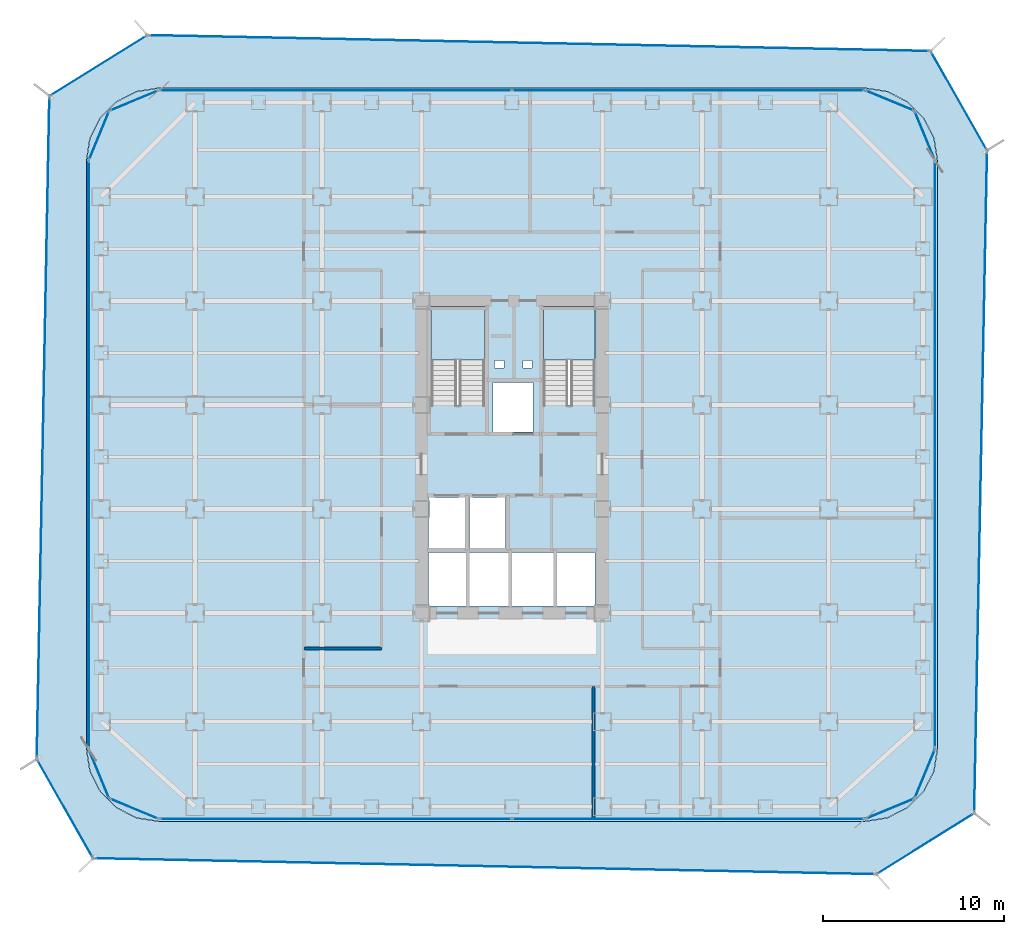
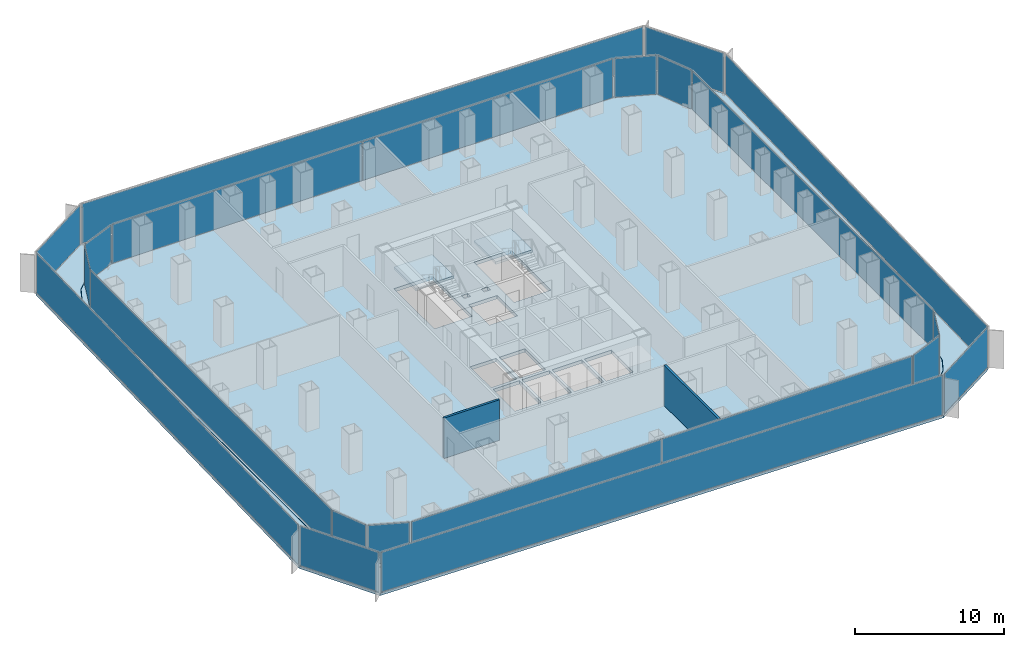
# One storey, part 16 of 21: 22 plates, 4 slabs, 2 walls, 22 elements without a shape of their own.
"""IFC4 building model written with IfcOpenShell, lengths in metres."""

from ifc_helpers import new_model, si_unit, direction, frame, frame_2d, origin, origin_2d, place, context, subcontext, project, spatial, polyline, rectangle, outline, extrude, source, transform, mapped, material, layer, layer_set, type_object, element, aggregate, save


model = new_model("IFC4")

# Units and contexts
model_context = context("Model", 3, precision=1e-05, world=origin(), true_north=direction((0.0, 1.0)))
body_context = subcontext(model_context, "Body", "Model", "MODEL_VIEW")
ifc_project = project(units=[si_unit("LENGTHUNIT", "METRE"), si_unit("AREAUNIT", "SQUARE_METRE"), si_unit("VOLUMEUNIT", "CUBIC_METRE"), si_unit("PLANEANGLEUNIT", "RADIAN"), si_unit("MASSUNIT", "GRAM", prefix="KILO")], contexts=[model_context])

# Site, building, storey
site_placement = place(None, origin())
site = spatial("IfcSite", under=ifc_project, at=site_placement, CompositionType="ELEMENT")
building_placement = place(site_placement, origin())
building = spatial("IfcBuilding", under=site, at=building_placement, Name="Kolveth Station Tower", CompositionType="ELEMENT")
storey_placement = place(building_placement, frame((0.0, 0.0, 62.10009765625)))
storey = spatial("IfcBuildingStorey", under=building, at=storey_placement, Name="L16", CompositionType="ELEMENT", Elevation=62.10009765625)

# Slab
ifc_material_1 = material(Name="Concrete C45/55", Category="concrete")
ifc_layer_1 = layer(ifc_material_1, 0.280029296875)
ifc_layer_set_1 = layer_set([ifc_layer_1], Name="Concrete C45/55")
slab_type_1 = type_object("IfcSlabType", Name="Slab_SF-280", PredefinedType="FLOOR", material=ifc_layer_set_1)
slab_1_placement = place(storey_placement, frame((0.0, 0.0, -0.280029296875)))
element("IfcSlab", 1, at=slab_1_placement, inside=storey, type_object=slab_type_1, Name="L16 Tower Structural Floor Slab", PredefinedType="FLOOR", context=body_context, shape_type="SweptSolid", body=[
    extrude(outline(polyline([(43.0, 0.0), (44.236083984375, 0.19580078125), (45.35107421875, 0.763916015625), (46.236083984375, 1.64892578125), (46.80419921875, 2.763916015625), (47.0, 4.0), (47.0, 36.5), (46.80419921875, 37.736083984375), (46.236083984375, 38.85107421875), (45.35107421875, 39.736083984375), (44.236083984375, 40.30419921875), (43.0, 40.5), (4.0, 40.5), (2.763916015625, 40.30419921875), (1.64892578125, 39.736083984375), (0.763916015625, 38.85107421875), (0.19580078125, 37.736083984375), (0.0, 36.5), (0.0, 4.0), (0.19580078125, 2.763916015625), (0.763916015625, 1.64892578125), (1.64892578125, 0.763916015625), (2.763916015625, 0.19580078125), (4.0, 0.0), (43.0, 0.0)]), holes=[polyline([(19.0400390625, 22.985107421875), (22.0, 22.985107421875), (22.0, 28.39990234375), (19.0400390625, 28.39990234375), (19.0400390625, 22.985107421875)]), polyline([(25.239990234375, 22.985107421875), (28.10009765625, 22.985107421875), (28.10009765625, 28.39990234375), (25.239990234375, 28.39990234375), (25.239990234375, 22.985107421875)]), polyline([(18.89990234375, 15.10009765625), (20.89990234375, 15.10009765625), (20.89990234375, 17.89990234375), (18.89990234375, 17.89990234375), (18.89990234375, 15.10009765625)]), polyline([(21.14990234375, 15.10009765625), (23.14990234375, 15.10009765625), (23.14990234375, 17.89990234375), (21.14990234375, 17.89990234375), (21.14990234375, 15.10009765625)]), polyline([(22.449951171875, 21.5), (24.64990234375, 21.5), (24.64990234375, 24.25), (22.449951171875, 24.25), (22.449951171875, 21.5)]), polyline([(18.89990234375, 11.89990234375), (20.949951171875, 11.89990234375), (20.949951171875, 14.85009765625), (18.89990234375, 14.85009765625), (18.89990234375, 11.89990234375)]), polyline([(21.14990234375, 11.89990234375), (23.300048828125, 11.89990234375), (23.300048828125, 14.85009765625), (21.14990234375, 14.85009765625), (21.14990234375, 11.89990234375)]), polyline([(23.5, 11.89990234375), (25.800048828125, 11.89990234375), (25.800048828125, 14.85009765625), (23.5, 14.85009765625), (23.5, 11.89990234375)]), polyline([(26.0, 11.89990234375), (28.10009765625, 11.89990234375), (28.10009765625, 14.85009765625), (26.0, 14.85009765625), (26.0, 11.89990234375)]), polyline([(22.550048828125, 25.050048828125), (23.050048828125, 25.050048828125), (23.050048828125, 25.449951171875), (22.550048828125, 25.449951171875), (22.550048828125, 25.050048828125)]), polyline([(24.10009765625, 25.050048828125), (24.60009765625, 25.050048828125), (24.60009765625, 25.449951171875), (24.10009765625, 25.449951171875), (24.10009765625, 25.050048828125)])]), origin(), (0.0, 0.0, 1.0), 0.280029296875),
])

# Stair, slab
ifc_material_2 = material(Name="Concrete C40/50", Category="concrete")
stair_type_1 = type_object("IfcStairType", Name="Stair_ST2", PredefinedType="HALF_TURN_STAIR", material=ifc_material_2)
stair_1_placement = place(storey_placement, origin())
stair_1 = element("IfcStair", 2, at=stair_1_placement, inside=storey, type_object=stair_type_1, Name="L16 Tower Exit Stair ST2", PredefinedType="HALF_TURN_STAIR")
ifc_layer_2 = layer(ifc_material_2, 0.18994140625)
ifc_layer_set_2 = layer_set([ifc_layer_2], Name="Concrete C40/50")
slab_type_2 = type_object("IfcSlabType", Name="Slab_SL-190", PredefinedType="LANDING", material=ifc_layer_set_2)
slab_2_placement = place(storey_placement, frame((0.0, 0.0, 1.599853515625)))
slab_2 = element("IfcSlab", 3, at=slab_2_placement, type_object=slab_type_2, Name="ST2 landing 1", PredefinedType="LANDING", context=body_context, shape_type="SweptSolid", body=[
    extrude(outline(polyline([(28.10009765625, 25.469970703125), (28.10009765625, 28.39990234375), (25.239990234375, 28.39990234375), (25.239990234375, 25.469970703125), (28.10009765625, 25.469970703125)])), origin(), (0.0, 0.0, 1.0), 0.199951171875),
])
aggregate(stair_1, [slab_2])

stair_type_2 = type_object("IfcStairType", Name="Stair_ST1", PredefinedType="HALF_TURN_STAIR", material=ifc_material_2)
stair_2_placement = place(storey_placement, origin())
stair_2 = element("IfcStair", 4, at=stair_2_placement, inside=storey, type_object=stair_type_2, Name="L16 Tower Exit Stair ST1", PredefinedType="HALF_TURN_STAIR")
ifc_layer_3 = layer(ifc_material_2, 0.205078125)
ifc_layer_set_3 = layer_set([ifc_layer_3], Name="Concrete C40/50")
slab_type_3 = type_object("IfcSlabType", Name="Slab_SL-205", PredefinedType="LANDING", material=ifc_layer_set_3)
slab_3_placement = place(storey_placement, frame((0.0, 0.0, 1.599853515625)))
slab_3 = element("IfcSlab", 5, at=slab_3_placement, type_object=slab_type_3, Name="ST1 landing 1", PredefinedType="LANDING", context=body_context, shape_type="SweptSolid", body=[
    extrude(outline(polyline([(22.0, 25.469970703125), (22.0, 28.39990234375), (19.0400390625, 28.39990234375), (19.0400390625, 25.469970703125), (22.0, 25.469970703125)])), origin(), (0.0, 0.0, 1.0), 0.199951171875),
])
aggregate(stair_2, [slab_3])

# Slab
ifc_layer_4 = layer(ifc_material_2, 0.2099609375)
ifc_layer_set_4 = layer_set([ifc_layer_4], Name="Concrete C40/50")
slab_type_4 = type_object("IfcSlabType", Name="Slab_ST-210", PredefinedType="FLOOR", material=ifc_layer_set_4)
slab_4_placement = place(storey_placement, frame((0.0, 0.0, -0.210205078125)))
element("IfcSlab", 6, at=slab_4_placement, inside=storey, type_object=slab_type_4, Name="L16 Double-Skin Cavity Structural Ledger Ring", PredefinedType="FLOOR", context=body_context, shape_type="SweptSolid", body=[
    extrude(outline(polyline([(0.365966796875, -2.04541015625), (-2.74609375, 3.44580078125), (-2.04638671875, 40.061279296875), (3.36474609375, 43.424072265625), (46.634033203125, 42.54541015625), (49.7529296875, 37.05517578125), (49.041015625, 0.441650390625), (43.635498046875, -2.92626953125), (0.365966796875, -2.04541015625)]), holes=[polyline([(43.002197265625, -0.014892578125), (44.23828125, 0.180908203125), (44.242919921875, 0.182373046875), (45.35791015625, 0.75048828125), (45.36181640625, 0.75341796875), (46.24658203125, 1.63818359375), (46.24951171875, 1.64208984375), (46.817626953125, 2.757080078125), (46.819091796875, 2.76171875), (47.014892578125, 3.997802734375), (47.014892578125, 4.0), (47.014892578125, 36.5), (47.014892578125, 36.502197265625), (46.819091796875, 37.73828125), (46.817626953125, 37.742919921875), (46.24951171875, 38.85791015625), (46.24658203125, 38.86181640625), (45.36181640625, 39.74658203125), (45.35791015625, 39.74951171875), (44.242919921875, 40.317626953125), (44.23828125, 40.319091796875), (43.002197265625, 40.514892578125), (43.0, 40.514892578125), (4.0, 40.514892578125), (3.997802734375, 40.514892578125), (2.76171875, 40.319091796875), (2.757080078125, 40.317626953125), (1.64208984375, 39.74951171875), (1.63818359375, 39.74658203125), (0.75341796875, 38.86181640625), (0.75048828125, 38.85791015625), (0.182373046875, 37.742919921875), (0.180908203125, 37.73828125), (-0.014892578125, 36.502197265625), (-0.014892578125, 36.5), (-0.014892578125, 4.0), (-0.014892578125, 3.997802734375), (0.180908203125, 2.76171875), (0.182373046875, 2.757080078125), (0.75048828125, 1.64208984375), (0.75341796875, 1.63818359375), (1.63818359375, 0.75341796875), (1.64208984375, 0.75048828125), (2.757080078125, 0.182373046875), (2.76171875, 0.180908203125), (3.997802734375, -0.014892578125), (4.0, -0.014892578125), (43.0, -0.014892578125), (43.002197265625, -0.014892578125)])]), origin(), (0.0, 0.0, 1.0), 0.210205078125),
])

# Curtain wall, plate
ifc_material_3 = material(Name="Aluminium 6063-T6 and low-E dark glass", Category="aluminium")
ifc_layer_5 = layer(ifc_material_3, 0.179931640625)
ifc_layer_set_5 = layer_set([ifc_layer_5], Name="Aluminium 6063-T6 and low-E dark glass")
curtain_wall_type_1 = type_object("IfcCurtainWallType", Name="CurtainWall_CW-Z1", PredefinedType="NOTDEFINED", material=ifc_layer_set_5)
curtain_wall_1_placement = place(storey_placement, origin())
curtain_wall_1 = element("IfcCurtainWall", 7, at=curtain_wall_1_placement, inside=storey, type_object=curtain_wall_type_1, Name="L16 Inner Thermal Curtain Wall 1", PredefinedType="NOTDEFINED")
ifc_material_4 = material(Name="Architectural low-E dark glass", Category="glass")
ifc_layer_6 = layer(ifc_material_4, 0.035888671875)
ifc_layer_set_6 = layer_set([ifc_layer_6], Name="Architectural low-E dark glass")
plate_type_1 = type_object("IfcPlateType", Name="Panel_GL1", PredefinedType="CURTAIN_PANEL", material=ifc_layer_set_6)
shared_shape_1 = source(origin(), body_context, "Body", "SweptSolid", [
    extrude(rectangle(XDim=2.83349609375, YDim=0.035888671875, at=origin_2d()), origin(), (0.0, 0.0, 1.0), 3.18408203125),
])
plate_1_placement = place(storey_placement, frame((44.371826171875, 0.688232421875, 0.06787109375), z_axis=(0.0, 0.0, 1.0), x_axis=(0.923883857728, 0.382672990201, 0.0)))
plate_1 = element("IfcPlate", 8, at=plate_1_placement, type_object=plate_type_1, Name="CW-Z1 panel 1.1", PredefinedType="CURTAIN_PANEL", context=body_context, shape_type="MappedRepresentation", body=[
    mapped(shared_shape_1, transform((0.0, 0.0, 0.0), x_axis=(1.0, 0.0, 0.0), y_axis=(0.0, 1.0, 0.0), z_axis=(0.0, 0.0, 1.0), scale=1.0)),
])
aggregate(curtain_wall_1, [plate_1])

curtain_wall_2_placement = place(storey_placement, origin())
curtain_wall_2 = element("IfcCurtainWall", 9, at=curtain_wall_2_placement, inside=storey, type_object=curtain_wall_type_1, Name="L16 Inner Thermal Curtain Wall 2", PredefinedType="NOTDEFINED")
plate_2_placement = place(storey_placement, frame((46.311767578125, 2.628173828125, 0.06787109375), z_axis=(0.0, 0.0, 1.0), x_axis=(0.382672990201, 0.923883857728, 0.0)))
plate_2 = element("IfcPlate", 10, at=plate_2_placement, type_object=plate_type_1, Name="CW-Z1 panel 1.1", PredefinedType="CURTAIN_PANEL", context=body_context, shape_type="MappedRepresentation", body=[
    mapped(shared_shape_1, transform((0.0, 0.0, 0.0), x_axis=(1.0, 0.0, 0.0), y_axis=(0.0, 1.0, 0.0), z_axis=(0.0, 0.0, 1.0), scale=1.0)),
])
aggregate(curtain_wall_2, [plate_2])

curtain_wall_3_placement = place(storey_placement, origin())
curtain_wall_3 = element("IfcCurtainWall", 11, at=curtain_wall_3_placement, inside=storey, type_object=curtain_wall_type_1, Name="L16 Inner Thermal Curtain Wall 4", PredefinedType="NOTDEFINED")
plate_3_placement = place(storey_placement, frame((46.311767578125, 37.871826171875, 0.06787109375), z_axis=(0.0, 0.0, 1.0), x_axis=(-0.382672990201, 0.923883857728, 0.0)))
plate_3 = element("IfcPlate", 12, at=plate_3_placement, type_object=plate_type_1, Name="CW-Z1 panel 1.1", PredefinedType="CURTAIN_PANEL", context=body_context, shape_type="MappedRepresentation", body=[
    mapped(shared_shape_1, transform((0.0, 0.0, 0.0), x_axis=(1.0, 0.0, 0.0), y_axis=(0.0, 1.0, 0.0), z_axis=(0.0, 0.0, 1.0), scale=1.0)),
])
aggregate(curtain_wall_3, [plate_3])

curtain_wall_4_placement = place(storey_placement, origin())
curtain_wall_4 = element("IfcCurtainWall", 13, at=curtain_wall_4_placement, inside=storey, type_object=curtain_wall_type_1, Name="L16 Inner Thermal Curtain Wall 5", PredefinedType="NOTDEFINED")
plate_4_placement = place(storey_placement, frame((44.371826171875, 39.811767578125, 0.06787109375), z_axis=(0.0, 0.0, 1.0), x_axis=(-0.923883857728, 0.382672990201, 0.0)))
plate_4 = element("IfcPlate", 14, at=plate_4_placement, type_object=plate_type_1, Name="CW-Z1 panel 1.1", PredefinedType="CURTAIN_PANEL", context=body_context, shape_type="MappedRepresentation", body=[
    mapped(shared_shape_1, transform((0.0, 0.0, 0.0), x_axis=(1.0, 0.0, 0.0), y_axis=(0.0, 1.0, 0.0), z_axis=(0.0, 0.0, 1.0), scale=1.0)),
])
aggregate(curtain_wall_4, [plate_4])

curtain_wall_5_placement = place(storey_placement, origin())
curtain_wall_5 = element("IfcCurtainWall", 15, at=curtain_wall_5_placement, inside=storey, type_object=curtain_wall_type_1, Name="L16 Inner Thermal Curtain Wall 7", PredefinedType="NOTDEFINED")
plate_5_placement = place(storey_placement, frame((2.628173828125, 39.811767578125, 0.06787109375), z_axis=(0.0, 0.0, 1.0), x_axis=(-0.923883857728, -0.382672990201, 0.0)))
plate_5 = element("IfcPlate", 16, at=plate_5_placement, type_object=plate_type_1, Name="CW-Z1 panel 1.1", PredefinedType="CURTAIN_PANEL", context=body_context, shape_type="MappedRepresentation", body=[
    mapped(shared_shape_1, transform((0.0, 0.0, 0.0), x_axis=(1.0, 0.0, 0.0), y_axis=(0.0, 1.0, 0.0), z_axis=(0.0, 0.0, 1.0), scale=1.0)),
])
aggregate(curtain_wall_5, [plate_5])

curtain_wall_6_placement = place(storey_placement, origin())
curtain_wall_6 = element("IfcCurtainWall", 17, at=curtain_wall_6_placement, inside=storey, type_object=curtain_wall_type_1, Name="L16 Inner Thermal Curtain Wall 8", PredefinedType="NOTDEFINED")
plate_6_placement = place(storey_placement, frame((0.688232421875, 37.871826171875, 0.06787109375), z_axis=(0.0, 0.0, 1.0), x_axis=(-0.382672990201, -0.923883857728, 0.0)))
plate_6 = element("IfcPlate", 18, at=plate_6_placement, type_object=plate_type_1, Name="CW-Z1 panel 1.1", PredefinedType="CURTAIN_PANEL", context=body_context, shape_type="MappedRepresentation", body=[
    mapped(shared_shape_1, transform((0.0, 0.0, 0.0), x_axis=(1.0, 0.0, 0.0), y_axis=(0.0, 1.0, 0.0), z_axis=(0.0, 0.0, 1.0), scale=1.0)),
])
aggregate(curtain_wall_6, [plate_6])

curtain_wall_7_placement = place(storey_placement, origin())
curtain_wall_7 = element("IfcCurtainWall", 19, at=curtain_wall_7_placement, inside=storey, type_object=curtain_wall_type_1, Name="L16 Inner Thermal Curtain Wall 10", PredefinedType="NOTDEFINED")
plate_7_placement = place(storey_placement, frame((0.688232421875, 2.628173828125, 0.06787109375), z_axis=(0.0, 0.0, 1.0), x_axis=(0.382672990201, -0.923883857728, 0.0)))
plate_7 = element("IfcPlate", 20, at=plate_7_placement, type_object=plate_type_1, Name="CW-Z1 panel 1.1", PredefinedType="CURTAIN_PANEL", context=body_context, shape_type="MappedRepresentation", body=[
    mapped(shared_shape_1, transform((0.0, 0.0, 0.0), x_axis=(1.0, 0.0, 0.0), y_axis=(0.0, 1.0, 0.0), z_axis=(0.0, 0.0, 1.0), scale=1.0)),
])
aggregate(curtain_wall_7, [plate_7])

curtain_wall_8_placement = place(storey_placement, origin())
curtain_wall_8 = element("IfcCurtainWall", 21, at=curtain_wall_8_placement, inside=storey, type_object=curtain_wall_type_1, Name="L16 Inner Thermal Curtain Wall 11", PredefinedType="NOTDEFINED")
plate_8_placement = place(storey_placement, frame((2.628173828125, 0.688232421875, 0.06787109375), z_axis=(0.0, 0.0, 1.0), x_axis=(0.923883857728, -0.382672990201, 0.0)))
plate_8 = element("IfcPlate", 22, at=plate_8_placement, type_object=plate_type_1, Name="CW-Z1 panel 1.1", PredefinedType="CURTAIN_PANEL", context=body_context, shape_type="MappedRepresentation", body=[
    mapped(shared_shape_1, transform((0.0, 0.0, 0.0), x_axis=(1.0, 0.0, 0.0), y_axis=(0.0, 1.0, 0.0), z_axis=(0.0, 0.0, 1.0), scale=1.0)),
])
aggregate(curtain_wall_8, [plate_8])

curtain_wall_9_placement = place(storey_placement, origin())
curtain_wall_9 = element("IfcCurtainWall", 23, at=curtain_wall_9_placement, inside=storey, type_object=curtain_wall_type_1, Name="L16 Inner Thermal Curtain Wall 3", PredefinedType="NOTDEFINED")
shared_shape_2 = source(origin(), body_context, "Body", "SweptSolid", [
    extrude(rectangle(XDim=32.364013671875, YDim=0.035888671875, at=origin_2d()), origin(), (0.0, 0.0, 1.0), 3.18408203125),
])
plate_9_placement = place(storey_placement, frame((46.8798828125, 20.25, 0.06787109375), z_axis=(0.0, 0.0, 1.0), x_axis=(0.0, 1.0, 0.0)))
plate_9 = element("IfcPlate", 24, at=plate_9_placement, type_object=plate_type_1, Name="CW-Z1 panel 1.1", PredefinedType="CURTAIN_PANEL", context=body_context, shape_type="MappedRepresentation", body=[
    mapped(shared_shape_2, transform((0.0, 0.0, 0.0), x_axis=(1.0, 0.0, 0.0), y_axis=(0.0, 1.0, 0.0), z_axis=(0.0, 0.0, 1.0), scale=1.0)),
])
aggregate(curtain_wall_9, [plate_9])

curtain_wall_10_placement = place(storey_placement, origin())
curtain_wall_10 = element("IfcCurtainWall", 25, at=curtain_wall_10_placement, inside=storey, type_object=curtain_wall_type_1, Name="L16 Inner Thermal Curtain Wall 9", PredefinedType="NOTDEFINED")
plate_10_placement = place(storey_placement, frame((0.1201171875, 20.25, 0.06787109375), z_axis=(0.0, 0.0, 1.0), x_axis=(0.0, -1.0, 0.0)))
plate_10 = element("IfcPlate", 26, at=plate_10_placement, type_object=plate_type_1, Name="CW-Z1 panel 1.1", PredefinedType="CURTAIN_PANEL", context=body_context, shape_type="MappedRepresentation", body=[
    mapped(shared_shape_2, transform((0.0, 0.0, 0.0), x_axis=(1.0, 0.0, 0.0), y_axis=(0.0, 1.0, 0.0), z_axis=(0.0, 0.0, 1.0), scale=1.0)),
])
aggregate(curtain_wall_10, [plate_10])

# Curtain wall, plates
curtain_wall_11_placement = place(storey_placement, origin())
curtain_wall_11 = element("IfcCurtainWall", 27, at=curtain_wall_11_placement, inside=storey, type_object=curtain_wall_type_1, Name="L16 Inner Thermal Curtain Wall 6", PredefinedType="NOTDEFINED")
shared_shape_3 = source(origin(), body_context, "Body", "SweptSolid", [
    extrude(rectangle(XDim=19.401611328125, YDim=0.035888671875, at=origin_2d()), origin(), (0.0, 0.0, 1.0), 3.18408203125),
])
plate_11_placement = place(storey_placement, frame((33.231201171875, 40.3798828125, 0.06787109375), z_axis=(0.0, 0.0, 1.0), x_axis=(-1.0, 0.0, 0.0)))
plate_11 = element("IfcPlate", 28, at=plate_11_placement, type_object=plate_type_1, Name="CW-Z1 panel 1.1", PredefinedType="CURTAIN_PANEL", context=body_context, shape_type="MappedRepresentation", body=[
    mapped(shared_shape_3, transform((0.0, 0.0, 0.0), x_axis=(1.0, 0.0, 0.0), y_axis=(0.0, 1.0, 0.0), z_axis=(0.0, 0.0, 1.0), scale=1.0)),
])
plate_12_placement = place(storey_placement, frame((13.768798828125, 40.3798828125, 0.06787109375), z_axis=(0.0, 0.0, 1.0), x_axis=(-1.0, 0.0, 0.0)))
plate_12 = element("IfcPlate", 29, at=plate_12_placement, type_object=plate_type_1, Name="CW-Z1 panel 2.1", PredefinedType="CURTAIN_PANEL", context=body_context, shape_type="MappedRepresentation", body=[
    mapped(shared_shape_3, transform((0.0, 0.0, 0.0), x_axis=(1.0, 0.0, 0.0), y_axis=(0.0, 1.0, 0.0), z_axis=(0.0, 0.0, 1.0), scale=1.0)),
])
aggregate(curtain_wall_11, [plate_11, plate_12])

curtain_wall_12_placement = place(storey_placement, origin())
curtain_wall_12 = element("IfcCurtainWall", 30, at=curtain_wall_12_placement, inside=storey, type_object=curtain_wall_type_1, Name="L16 Inner Thermal Curtain Wall 12", PredefinedType="NOTDEFINED")
plate_13_placement = place(storey_placement, frame((13.768798828125, 0.1201171875, 0.06787109375), z_axis=(0.0, 0.0, 1.0), x_axis=(1.0, 0.0, 0.0)))
plate_13 = element("IfcPlate", 31, at=plate_13_placement, type_object=plate_type_1, Name="CW-Z1 panel 1.1", PredefinedType="CURTAIN_PANEL", context=body_context, shape_type="MappedRepresentation", body=[
    mapped(shared_shape_3, transform((0.0, 0.0, 0.0), x_axis=(1.0, 0.0, 0.0), y_axis=(0.0, 1.0, 0.0), z_axis=(0.0, 0.0, 1.0), scale=1.0)),
])
plate_14_placement = place(storey_placement, frame((33.231201171875, 0.1201171875, 0.06787109375), z_axis=(0.0, 0.0, 1.0), x_axis=(1.0, 0.0, 0.0)))
plate_14 = element("IfcPlate", 32, at=plate_14_placement, type_object=plate_type_1, Name="CW-Z1 panel 2.1", PredefinedType="CURTAIN_PANEL", context=body_context, shape_type="MappedRepresentation", body=[
    mapped(shared_shape_3, transform((0.0, 0.0, 0.0), x_axis=(1.0, 0.0, 0.0), y_axis=(0.0, 1.0, 0.0), z_axis=(0.0, 0.0, 1.0), scale=1.0)),
])
aggregate(curtain_wall_12, [plate_13, plate_14])

# Curtain wall, plate
ifc_material_5 = material(Name="Black anodized aluminium 6063-T6 and dark solar glass", Category="aluminium")
ifc_layer_7 = layer(ifc_material_5, 0.159912109375)
ifc_layer_set_7 = layer_set([ifc_layer_7], Name="Black anodized aluminium 6063-T6 and dark solar glass")
curtain_wall_type_2 = type_object("IfcCurtainWallType", Name="OUTER SKIN CW-OS", PredefinedType="NOTDEFINED", material=ifc_layer_set_7)
curtain_wall_13_placement = place(storey_placement, origin())
curtain_wall_13 = element("IfcCurtainWall", 33, at=curtain_wall_13_placement, inside=storey, type_object=curtain_wall_type_2, Name="L16 Outer Ventilated Skin Curtain Wall 1", PredefinedType="NOTDEFINED")
ifc_layer_8 = layer(ifc_material_4, 0.028076171875)
ifc_layer_set_8 = layer_set([ifc_layer_8], Name="Architectural low-E dark glass")
plate_type_2 = type_object("IfcPlateType", Name="Panel_GL-OS", PredefinedType="CURTAIN_PANEL", material=ifc_layer_set_8)
shared_shape_4 = source(origin(), body_context, "Body", "SweptSolid", [
    extrude(rectangle(XDim=6.202880859375, YDim=0.028076171875, at=origin_2d()), origin(), (0.0, 0.0, 1.0), 3.243896484375),
])
plate_15_placement = place(storey_placement, frame((46.33837890625, -1.242431640625, 0.07275390625), z_axis=(0.0, 0.0, 1.0), x_axis=(0.848741082262, 0.528808637677, 0.0)))
plate_15 = element("IfcPlate", 34, at=plate_15_placement, type_object=plate_type_2, Name="CW-OS panel 1.1", PredefinedType="CURTAIN_PANEL", context=body_context, shape_type="MappedRepresentation", body=[
    mapped(shared_shape_4, transform((0.0, 0.0, 0.0), x_axis=(1.0, 0.0, 0.0), y_axis=(0.0, 1.0, 0.0), z_axis=(0.0, 0.0, 1.0), scale=1.0)),
])
aggregate(curtain_wall_13, [plate_15])

curtain_wall_14_placement = place(storey_placement, origin())
curtain_wall_14 = element("IfcCurtainWall", 35, at=curtain_wall_14_placement, inside=storey, type_object=curtain_wall_type_2, Name="L16 Outer Ventilated Skin Curtain Wall 2", PredefinedType="NOTDEFINED")
shared_shape_5 = source(origin(), body_context, "Body", "SweptSolid", [
    extrude(rectangle(XDim=36.454345703125, YDim=0.028076171875, at=origin_2d()), origin(), (0.0, 0.0, 1.0), 3.243896484375),
])
plate_16_placement = place(storey_placement, frame((49.39697265625, 18.748291015625, 0.07275390625), z_axis=(0.0, 0.0, 1.0), x_axis=(0.01943724381, 0.999811078931, 0.0)))
plate_16 = element("IfcPlate", 36, at=plate_16_placement, type_object=plate_type_2, Name="CW-OS panel 1.1", PredefinedType="CURTAIN_PANEL", context=body_context, shape_type="MappedRepresentation", body=[
    mapped(shared_shape_5, transform((0.0, 0.0, 0.0), x_axis=(1.0, 0.0, 0.0), y_axis=(0.0, 1.0, 0.0), z_axis=(0.0, 0.0, 1.0), scale=1.0)),
])
aggregate(curtain_wall_14, [plate_16])

curtain_wall_15_placement = place(storey_placement, origin())
curtain_wall_15 = element("IfcCurtainWall", 37, at=curtain_wall_15_placement, inside=storey, type_object=curtain_wall_type_2, Name="L16 Outer Ventilated Skin Curtain Wall 3", PredefinedType="NOTDEFINED")
shared_shape_6 = source(origin(), body_context, "Body", "SweptSolid", [
    extrude(rectangle(XDim=6.148193359375, YDim=0.028076171875, at=origin_2d()), origin(), (0.0, 0.0, 1.0), 3.243896484375),
])
plate_17_placement = place(storey_placement, frame((48.193359375, 39.80029296875, 0.07275390625), z_axis=(0.0, 0.0, 1.0), x_axis=(-0.493938934301, 0.869496595267, 0.0)))
plate_17 = element("IfcPlate", 38, at=plate_17_placement, type_object=plate_type_2, Name="CW-OS panel 1.1", PredefinedType="CURTAIN_PANEL", context=body_context, shape_type="MappedRepresentation", body=[
    mapped(shared_shape_6, transform((0.0, 0.0, 0.0), x_axis=(1.0, 0.0, 0.0), y_axis=(0.0, 1.0, 0.0), z_axis=(0.0, 0.0, 1.0), scale=1.0)),
])
aggregate(curtain_wall_15, [plate_17])

curtain_wall_16_placement = place(storey_placement, origin())
curtain_wall_16 = element("IfcCurtainWall", 39, at=curtain_wall_16_placement, inside=storey, type_object=curtain_wall_type_2, Name="L16 Outer Ventilated Skin Curtain Wall 4", PredefinedType="NOTDEFINED")
shared_shape_7 = source(origin(), body_context, "Body", "SweptSolid", [
    extrude(rectangle(XDim=43.1123046875, YDim=0.028076171875, at=origin_2d()), origin(), (0.0, 0.0, 1.0), 3.243896484375),
])
plate_18_placement = place(storey_placement, frame((24.999267578125, 42.984619140625, 0.07275390625), z_axis=(0.0, 0.0, 1.0), x_axis=(-0.999793909302, 0.020301204973, 0.0)))
plate_18 = element("IfcPlate", 40, at=plate_18_placement, type_object=plate_type_2, Name="CW-OS panel 1.1", PredefinedType="CURTAIN_PANEL", context=body_context, shape_type="MappedRepresentation", body=[
    mapped(shared_shape_7, transform((0.0, 0.0, 0.0), x_axis=(1.0, 0.0, 0.0), y_axis=(0.0, 1.0, 0.0), z_axis=(0.0, 0.0, 1.0), scale=1.0)),
])
aggregate(curtain_wall_16, [plate_18])

curtain_wall_17_placement = place(storey_placement, origin())
curtain_wall_17 = element("IfcCurtainWall", 41, at=curtain_wall_17_placement, inside=storey, type_object=curtain_wall_type_2, Name="L16 Outer Ventilated Skin Curtain Wall 5", PredefinedType="NOTDEFINED")
shared_shape_8 = source(origin(), body_context, "Body", "SweptSolid", [
    extrude(rectangle(XDim=6.204833984375, YDim=0.028076171875, at=origin_2d()), origin(), (0.0, 0.0, 1.0), 3.243896484375),
])
plate_19_placement = place(storey_placement, frame((0.6591796875, 41.74267578125, 0.07275390625), z_axis=(0.0, 0.0, 1.0), x_axis=(-0.849348279714, -0.527832833146, 0.0)))
plate_19 = element("IfcPlate", 42, at=plate_19_placement, type_object=plate_type_2, Name="CW-OS panel 1.1", PredefinedType="CURTAIN_PANEL", context=body_context, shape_type="MappedRepresentation", body=[
    mapped(shared_shape_8, transform((0.0, 0.0, 0.0), x_axis=(1.0, 0.0, 0.0), y_axis=(0.0, 1.0, 0.0), z_axis=(0.0, 0.0, 1.0), scale=1.0)),
])
aggregate(curtain_wall_17, [plate_19])

curtain_wall_18_placement = place(storey_placement, origin())
curtain_wall_18 = element("IfcCurtainWall", 43, at=curtain_wall_18_placement, inside=storey, type_object=curtain_wall_type_2, Name="L16 Outer Ventilated Skin Curtain Wall 6", PredefinedType="NOTDEFINED")
shared_shape_9 = source(origin(), body_context, "Body", "SweptSolid", [
    extrude(rectangle(XDim=36.456298828125, YDim=0.028076171875, at=origin_2d()), origin(), (0.0, 0.0, 1.0), 3.243896484375),
])
plate_20_placement = place(storey_placement, frame((-2.396240234375, 21.753662109375, 0.07275390625), z_axis=(0.0, 0.0, 1.0), x_axis=(-0.019105905432, -0.999817465529, 0.0)))
plate_20 = element("IfcPlate", 44, at=plate_20_placement, type_object=plate_type_2, Name="CW-OS panel 1.1", PredefinedType="CURTAIN_PANEL", context=body_context, shape_type="MappedRepresentation", body=[
    mapped(shared_shape_9, transform((0.0, 0.0, 0.0), x_axis=(1.0, 0.0, 0.0), y_axis=(0.0, 1.0, 0.0), z_axis=(0.0, 0.0, 1.0), scale=1.0)),
])
aggregate(curtain_wall_18, [plate_20])

curtain_wall_19_placement = place(storey_placement, origin())
curtain_wall_19 = element("IfcCurtainWall", 45, at=curtain_wall_19_placement, inside=storey, type_object=curtain_wall_type_2, Name="L16 Outer Ventilated Skin Curtain Wall 7", PredefinedType="NOTDEFINED")
shared_shape_10 = source(origin(), body_context, "Body", "SweptSolid", [
    extrude(rectangle(XDim=6.145751953125, YDim=0.028076171875, at=origin_2d()), origin(), (0.0, 0.0, 1.0), 3.243896484375),
])
plate_21_placement = place(storey_placement, frame((-1.18994140625, 0.7001953125, 0.07275390625), z_axis=(0.0, 0.0, 1.0), x_axis=(0.493050947779, -0.870000438445, 0.0)))
plate_21 = element("IfcPlate", 46, at=plate_21_placement, type_object=plate_type_2, Name="CW-OS panel 1.1", PredefinedType="CURTAIN_PANEL", context=body_context, shape_type="MappedRepresentation", body=[
    mapped(shared_shape_10, transform((0.0, 0.0, 0.0), x_axis=(1.0, 0.0, 0.0), y_axis=(0.0, 1.0, 0.0), z_axis=(0.0, 0.0, 1.0), scale=1.0)),
])
aggregate(curtain_wall_19, [plate_21])

curtain_wall_20_placement = place(storey_placement, origin())
curtain_wall_20 = element("IfcCurtainWall", 47, at=curtain_wall_20_placement, inside=storey, type_object=curtain_wall_type_2, Name="L16 Outer Ventilated Skin Curtain Wall 8", PredefinedType="NOTDEFINED")
shared_shape_11 = source(origin(), body_context, "Body", "SweptSolid", [
    extrude(rectangle(XDim=43.112548828125, YDim=0.028076171875, at=origin_2d()), origin(), (0.0, 0.0, 1.0), 3.243896484375),
])
plate_22_placement = place(storey_placement, frame((22.000732421875, -2.48583984375, 0.07275390625), z_axis=(0.0, 0.0, 1.0), x_axis=(0.999792832088, -0.020354186443, 0.0)))
plate_22 = element("IfcPlate", 48, at=plate_22_placement, type_object=plate_type_2, Name="CW-OS panel 1.1", PredefinedType="CURTAIN_PANEL", context=body_context, shape_type="MappedRepresentation", body=[
    mapped(shared_shape_11, transform((0.0, 0.0, 0.0), x_axis=(1.0, 0.0, 0.0), y_axis=(0.0, 1.0, 0.0), z_axis=(0.0, 0.0, 1.0), scale=1.0)),
])
aggregate(curtain_wall_20, [plate_22])

# Walls
ifc_material_6 = material(Name="Acoustic double-stud gypsum partition")
ifc_layer_9 = layer(ifc_material_6, 0.1650390625)
ifc_layer_set_9 = layer_set([ifc_layer_9], Name="Acoustic double-stud gypsum partition")
wall_type = type_object("IfcWallType", Name="Wall_IW-165", PredefinedType="PARTITIONING", material=ifc_layer_set_9)
wall_1_placement = place(storey_placement, frame((12.0, 9.550048828125, 0.0), z_axis=(0.0, 0.0, 1.0), x_axis=(1.0, 0.0, 0.0)))
element("IfcWall", 49, at=wall_1_placement, inside=storey, type_object=wall_type, Name="L16 Partition Wall WL-L16-OSWT", PredefinedType="PARTITIONING", context=body_context, shape_type="SweptSolid", body=[
    extrude(rectangle(XDim=4.300048828125, YDim=0.1650390625, at=frame_2d((2.14990234375, 0.0))), origin(), (0.0, 0.0, 1.0), 3.31982421875),
])
wall_2_placement = place(storey_placement, frame((28.0, 0.159912109375, 0.0), z_axis=(0.0, 0.0, 1.0), x_axis=(0.0, 1.0, 0.0)))
element("IfcWall", 50, at=wall_2_placement, inside=storey, type_object=wall_type, Name="L16 Partition Wall WL-L16-OS-P1", PredefinedType="PARTITIONING", context=body_context, shape_type="SweptSolid", body=[
    extrude(rectangle(XDim=7.2900390625, YDim=0.1650390625, at=frame_2d((3.64501953125, 0.0))), origin(), (0.0, 0.0, 1.0), 3.31982421875),
])

save(model, "model.ifc")
